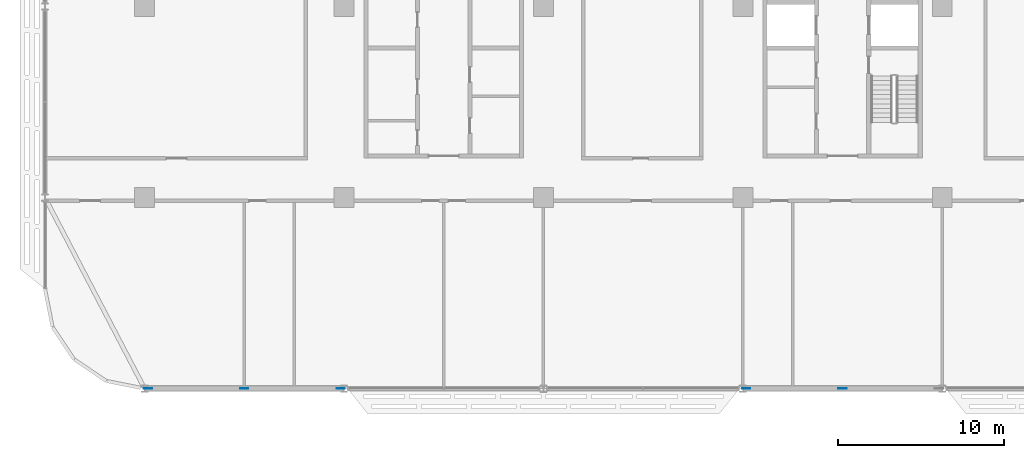
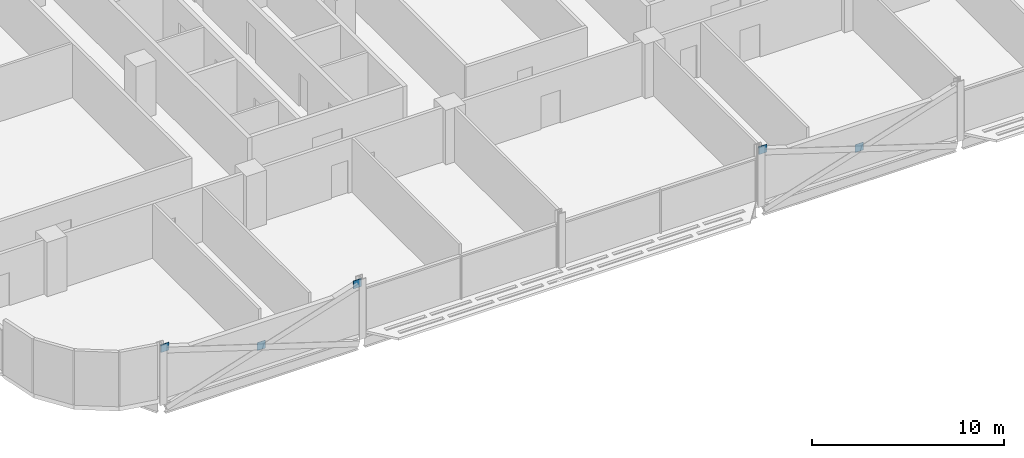
# One storey, part 17 of 27: 5 discrete accessories.
"""IFC4 building model written with IfcOpenShell, lengths in metres."""

from ifc_helpers import new_model, si_unit, direction, frame, origin, origin_2d, place, context, subcontext, project, spatial, rectangle, extrude, material, layer, layer_set, type_object, element, save


model = new_model("IFC4")

# Units and contexts
model_context = context("Model", 3, precision=1e-05, world=origin(), true_north=direction((0.0, 1.0)))
body_context = subcontext(model_context, "Body", "Model", "MODEL_VIEW")
ifc_project = project(units=[si_unit("LENGTHUNIT", "METRE"), si_unit("AREAUNIT", "SQUARE_METRE"), si_unit("VOLUMEUNIT", "CUBIC_METRE"), si_unit("PLANEANGLEUNIT", "RADIAN"), si_unit("MASSUNIT", "GRAM", prefix="KILO")], contexts=[model_context])

# Site, building, storey
site_placement = place(None, origin())
site = spatial("IfcSite", under=ifc_project, at=site_placement, CompositionType="ELEMENT")
building_placement = place(site_placement, origin())
building = spatial("IfcBuilding", under=site, at=building_placement, Name="Mahtab Terrace Research Tower", CompositionType="ELEMENT")
storey_placement = place(building_placement, frame((0.0, 0.0, 170.60009765625)))
storey = spatial("IfcBuildingStorey", under=building, at=storey_placement, Name="L40", CompositionType="ELEMENT", Elevation=170.60009765625)

# Discrete accessories
ifc_material = material(Name="Steel ASTM A992 Gr 50", Category="steel")
ifc_layer = layer(ifc_material, 0.030029296875)
ifc_layer_set = layer_set([ifc_layer], Name="Gusset plate 500x500x30")
discrete_accessory_type = type_object("IfcDiscreteAccessoryType", Name="Gusset plate 500x500x30", PredefinedType="USERDEFINED", material=ifc_layer_set)
for number, where, z_axis, x_axis, name in (
    (1, (-41.796875, -23.0, 2.870849609375), (0.0, 0.0, 1.0), (1.0, 0.0, 0.0), "Gusset plate"),
    (2, (-36.0, -23.0, 0.970703125), (0.0, 0.0, 1.0), (1.0, 0.0, 0.0), "Gusset plate"),
    (3, (-30.203125, -23.0, 2.870849609375), (0.0, 0.0, 1.0), (1.0, 0.0, 0.0), "Gusset plate"),
    (4, (-5.796875, -23.0, 2.870849609375), (0.0, 0.0, 1.0), (1.0, 0.0, 0.0), "Gusset plate"),
    (5, (0.0, -23.0, 0.970703125), (0.0, 0.0, 1.0), (1.0, 0.0, 0.0), "Gusset plate"),
):
    element("IfcDiscreteAccessory", number, at=place(storey_placement, frame(where, z_axis=z_axis, x_axis=x_axis)), inside=storey, type_object=discrete_accessory_type, Name=name, ObjectType="GUSSET PLATE", PredefinedType="USERDEFINED", context=body_context, shape_type="SweptSolid", body=[
        extrude(rectangle(XDim=0.5, YDim=0.030029296875, at=origin_2d()), origin(), (0.0, 0.0, 1.0), 0.5),
    ])

save(model, "model.ifc")
